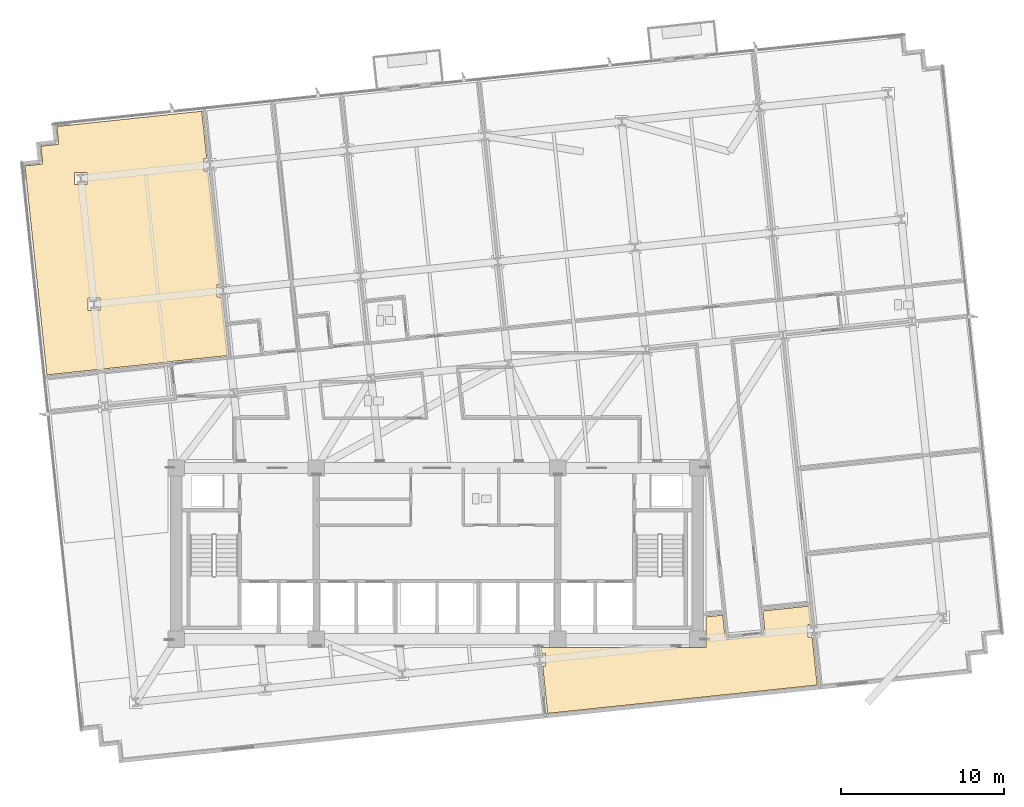
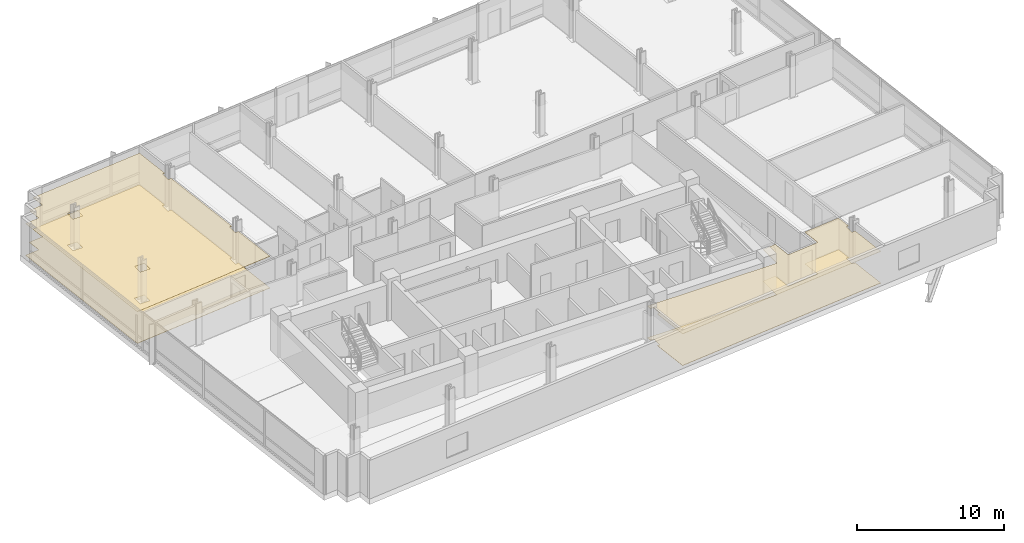
# One storey, part 15 of 18: 4 coverings.
"""IFC4 building model written with IfcOpenShell, lengths in metres."""

from ifc_helpers import new_model, si_unit, direction, frame, origin, place, context, subcontext, project, spatial, polyline, outline, extrude, material, layer, layer_set, type_object, element, save


model = new_model("IFC4")

# Units and contexts
model_context = context("Model", 3, precision=1e-05, world=origin(), true_north=direction((0.0, 1.0)))
body_context = subcontext(model_context, "Body", "Model", "MODEL_VIEW")
ifc_project = project(units=[si_unit("LENGTHUNIT", "METRE"), si_unit("AREAUNIT", "SQUARE_METRE"), si_unit("VOLUMEUNIT", "CUBIC_METRE"), si_unit("PLANEANGLEUNIT", "RADIAN"), si_unit("MASSUNIT", "GRAM", prefix="KILO")], contexts=[model_context])

# Site, building, storey
site_placement = place(None, origin())
site = spatial("IfcSite", under=ifc_project, at=site_placement, CompositionType="ELEMENT")
building_placement = place(site_placement, origin())
building = spatial("IfcBuilding", under=site, at=building_placement, Name="Solmavex Isthmus Hotel", CompositionType="ELEMENT")
storey_placement = place(building_placement, frame((0.0, 0.0, 80.10009765625)))
storey = spatial("IfcBuildingStorey", under=building, at=storey_placement, Name="L21", CompositionType="ELEMENT", Elevation=80.10009765625)

# Coverings
ifc_material_1 = material(Name="Gypsum plasterboard lining", Category="gypsum")
ifc_layer_1 = layer(ifc_material_1, 0.030029296875)
ifc_layer_set_1 = layer_set([ifc_layer_1], Name="Gypsum plasterboard lining")
covering_type_1 = type_object("IfcCoveringType", Name="COV-CEIL-GYP", PredefinedType="CEILING", material=ifc_layer_set_1)
covering_1_placement = place(storey_placement, frame((0.0, 0.0, 2.619873046875)))
element("IfcCovering", 1, at=covering_1_placement, inside=storey, type_object=covering_type_1, Name="Suspended Acoustic Ceiling L21-RM01", PredefinedType="CEILING", context=body_context, shape_type="SweptSolid", body=[
    extrude(outline(polyline([(-16.43212890625, 3.99853515625), (-16.43408203125, 4.0185546875), (-12.853759765625, 4.394775390625), (-13.23291015625, 8.002197265625), (-13.4970703125, 8.002197265625), (-13.4970703125, 8.76220703125), (-13.31298828125, 8.76220703125), (-14.043212890625, 15.711669921875), (-14.307373046875, 15.711669921875), (-14.307373046875, 16.4716796875), (-14.123291015625, 16.4716796875), (-14.42919921875, 19.38232421875), (-22.49755859375, 18.5341796875), (-23.318115234375, 18.447998046875), (-23.203125, 17.35400390625), (-24.297119140625, 17.239013671875), (-24.18212890625, 16.14501953125), (-25.276123046875, 16.030029296875), (-25.18994140625, 15.20947265625), (-23.9287109375, 3.210693359375), (-16.43212890625, 3.99853515625)]), holes=[polyline([(-21.42138671875, 7.169189453125), (-21.42138671875, 7.92919921875), (-20.661376953125, 7.92919921875), (-20.661376953125, 7.169189453125), (-21.42138671875, 7.169189453125)]), polyline([(-22.231689453125, 14.878662109375), (-22.231689453125, 15.638671875), (-21.4716796875, 15.638671875), (-21.4716796875, 14.878662109375), (-22.231689453125, 14.878662109375)])]), origin(), (0.0, 0.0, 1.0), 0.030029296875),
])
covering_2_placement = place(storey_placement, frame((0.0, 0.0, 2.619873046875)))
element("IfcCovering", 2, at=covering_2_placement, inside=storey, type_object=covering_type_1, Name="Suspended Acoustic Ceiling L21-FL12", PredefinedType="CEILING", context=body_context, shape_type="SweptSolid", body=[
    extrude(outline(polyline([(23.011474609375, -12.87158203125), (22.747314453125, -12.87158203125), (22.747314453125, -12.111572265625), (22.931640625, -12.111572265625), (22.811767578125, -10.971435546875), (19.984375, -11.2685546875), (20.14111328125, -12.76025390625), (17.6845703125, -13.0185546875), (17.52783203125, -11.526611328125), (16.5048828125, -11.63427734375), (16.5048828125, -13.5048828125), (6.364501953125, -13.5048828125), (6.404052734375, -13.881591796875), (6.668212890625, -13.881591796875), (6.668212890625, -14.6416015625), (6.48388671875, -14.6416015625), (6.789794921875, -17.552001953125), (10.812744140625, -17.12939453125), (23.32080078125, -15.814697265625), (23.011474609375, -12.87158203125)])), origin(), (0.0, 0.0, 1.0), 0.030029296875),
])
ifc_material_2 = material(Name="Travertine natural stone", Category="masonry")
ifc_layer_2 = layer(ifc_material_2, 0.02490234375)
ifc_layer_set_2 = layer_set([ifc_layer_2], Name="Travertine natural stone")
covering_type_2 = type_object("IfcCoveringType", Name="COV-FLOR-STN", PredefinedType="FLOORING", material=ifc_layer_set_2)
covering_3_placement = place(storey_placement, origin())
element("IfcCovering", 3, at=covering_3_placement, inside=storey, type_object=covering_type_2, Name="Stone and Timber Floor Finish L21-RM01", PredefinedType="FLOORING", context=body_context, shape_type="SweptSolid", body=[
    extrude(outline(polyline([(-16.43212890625, 3.99853515625), (-16.43408203125, 4.0185546875), (-12.853759765625, 4.394775390625), (-13.23291015625, 8.002197265625), (-13.4970703125, 8.002197265625), (-13.4970703125, 8.76220703125), (-13.31298828125, 8.76220703125), (-14.043212890625, 15.711669921875), (-14.307373046875, 15.711669921875), (-14.307373046875, 16.4716796875), (-14.123291015625, 16.4716796875), (-14.42919921875, 19.38232421875), (-22.49755859375, 18.5341796875), (-23.318115234375, 18.447998046875), (-23.203125, 17.35400390625), (-24.297119140625, 17.239013671875), (-24.18212890625, 16.14501953125), (-25.276123046875, 16.030029296875), (-25.18994140625, 15.20947265625), (-23.9287109375, 3.210693359375), (-16.43212890625, 3.99853515625)]), holes=[polyline([(-21.42138671875, 7.169189453125), (-21.42138671875, 7.92919921875), (-20.661376953125, 7.92919921875), (-20.661376953125, 7.169189453125), (-21.42138671875, 7.169189453125)]), polyline([(-22.231689453125, 14.878662109375), (-22.231689453125, 15.638671875), (-21.4716796875, 15.638671875), (-21.4716796875, 14.878662109375), (-22.231689453125, 14.878662109375)])]), origin(), (0.0, 0.0, 1.0), 0.02490234375),
])
covering_4_placement = place(storey_placement, origin())
element("IfcCovering", 4, at=covering_4_placement, inside=storey, type_object=covering_type_2, Name="Stone and Timber Floor Finish L21-FL12", PredefinedType="FLOORING", context=body_context, shape_type="SweptSolid", body=[
    extrude(outline(polyline([(23.011474609375, -12.87158203125), (22.747314453125, -12.87158203125), (22.747314453125, -12.111572265625), (22.931640625, -12.111572265625), (22.811767578125, -10.971435546875), (19.984375, -11.2685546875), (20.14111328125, -12.76025390625), (17.6845703125, -13.0185546875), (17.52783203125, -11.526611328125), (16.5048828125, -11.63427734375), (16.5048828125, -13.5048828125), (6.364501953125, -13.5048828125), (6.404052734375, -13.881591796875), (6.668212890625, -13.881591796875), (6.668212890625, -14.6416015625), (6.48388671875, -14.6416015625), (6.789794921875, -17.552001953125), (10.812744140625, -17.12939453125), (23.32080078125, -15.814697265625), (23.011474609375, -12.87158203125)])), origin(), (0.0, 0.0, 1.0), 0.02490234375),
])

save(model, "model.ifc")
